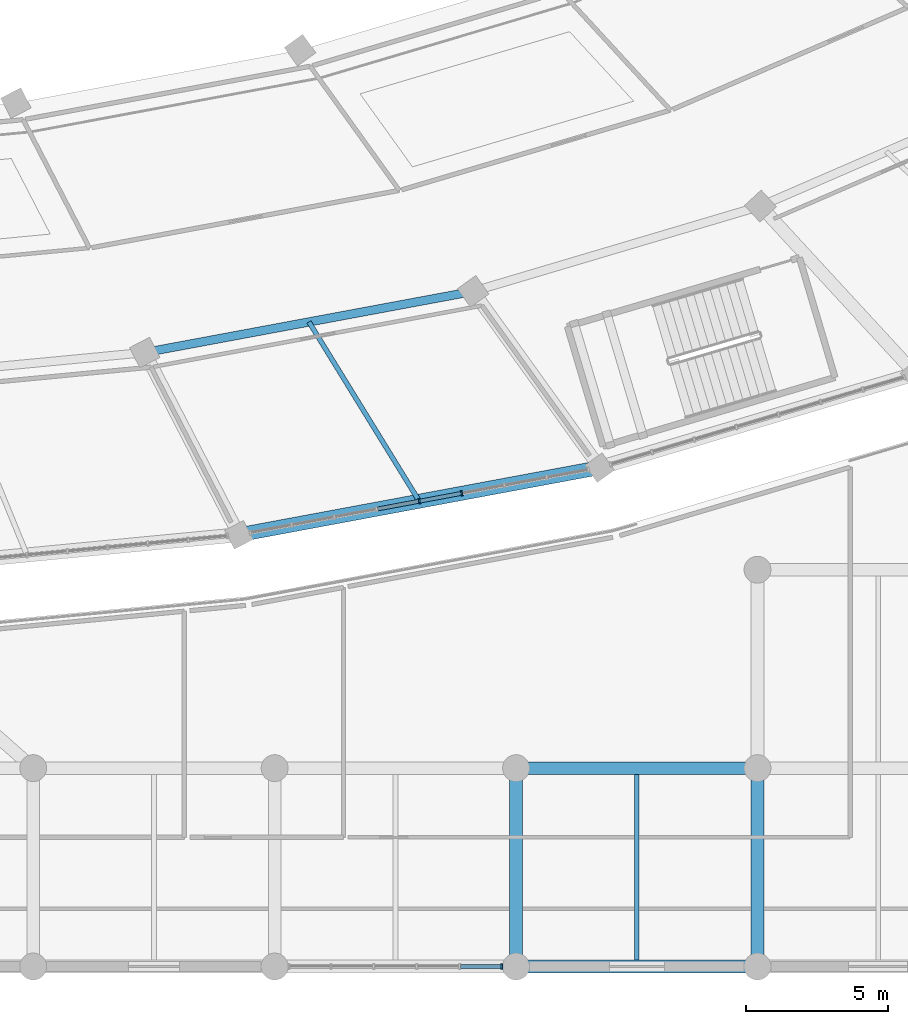
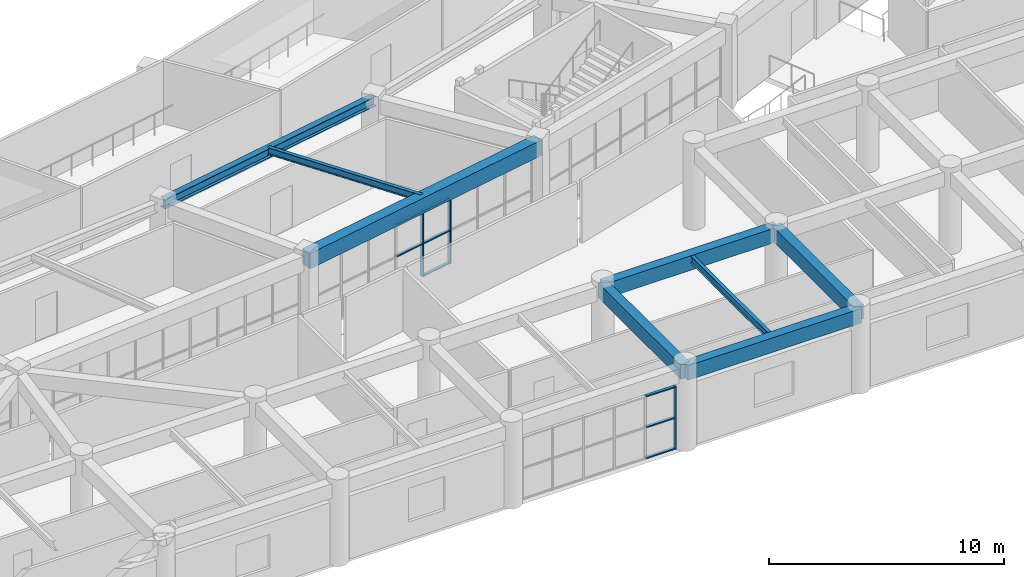
# One storey, part 33 of 141: 11 members, 8 beams, 2 elements without a shape of their own.
"""IFC4 building model written with IfcOpenShell, lengths in metres."""

from ifc_helpers import new_model, si_unit, direction, frame, origin, origin_2d, place, context, subcontext, project, spatial, rectangle, i_section, extrude, material, layer, layer_set, material_profile, profile_set, type_object, element, aggregate, save


model = new_model("IFC4")

# Units and contexts
model_context = context("Model", 3, precision=1e-05, world=origin(), true_north=direction((0.0, 1.0)))
body_context = subcontext(model_context, "Body", "Model", "MODEL_VIEW")
ifc_project = project(units=[si_unit("LENGTHUNIT", "METRE"), si_unit("AREAUNIT", "SQUARE_METRE"), si_unit("VOLUMEUNIT", "CUBIC_METRE"), si_unit("PLANEANGLEUNIT", "RADIAN"), si_unit("MASSUNIT", "GRAM", prefix="KILO")], contexts=[model_context])

# Site, building, storey
site_placement = place(None, origin())
site = spatial("IfcSite", under=ifc_project, at=site_placement, CompositionType="ELEMENT")
building_placement = place(site_placement, origin())
building = spatial("IfcBuilding", under=site, at=building_placement, Name="Mphavela Belvedere Stadium", CompositionType="ELEMENT")
storey_placement = place(building_placement, frame((0.0, 0.0, 14.699951171875)))
storey = spatial("IfcBuildingStorey", under=building, at=storey_placement, Name="L03", CompositionType="ELEMENT", Elevation=14.699951171875)

# Beams
ifc_material_1 = material(Name="Steel S355", Category="steel")
ifc_material_profile_1 = material_profile(ifc_material_1, i_section(OverallWidth=0.169921875, OverallDepth=0.360107421875, WebThickness=0.008056640625, FlangeThickness=0.0126953125, at=origin_2d()), Name="IPE 360")
ifc_profile_set_1 = profile_set([ifc_material_profile_1], Name="Steel S355")
beam_type_1 = type_object("IfcBeamType", Name="BM-JOIST-IPE360", PredefinedType="JOIST", material=ifc_profile_set_1)
beam_1_placement = place(storey_placement, frame((154.544189453125, 22.743408203125, 4.070068359375), z_axis=(0.524121267204, -0.851643644528, 0.0), x_axis=(0.851643644528, 0.524121267204, 0.0)))
element("IfcBeam", 1, at=beam_1_placement, inside=storey, type_object=beam_type_1, Name="Concourse floor joist L03-39", PredefinedType="JOIST", context=body_context, shape_type="SweptSolid", body=[
    extrude(i_section(OverallWidth=0.169921875, OverallDepth=0.360107421875, WebThickness=0.008056640625, FlangeThickness=0.0126953125, at=origin_2d()), origin(), (0.0, 0.0, 1.0), 7.42724609375),
])
beam_2_placement = place(storey_placement, frame((166.111083984375, 0.22509765625, 4.06005859375), z_axis=(0.0, 1.0, 0.0), x_axis=(-1.0, 0.0, 0.0)))
element("IfcBeam", 2, at=beam_2_placement, inside=storey, type_object=beam_type_1, Name="South Axial Triumphal Peristyle Portico secondary joist L03 20-1", PredefinedType="JOIST", context=body_context, shape_type="SweptSolid", body=[
    extrude(i_section(OverallWidth=0.169921875, OverallDepth=0.360107421875, WebThickness=0.008056640625, FlangeThickness=0.0126953125, at=origin_2d()), origin(), (0.0, 0.0, 1.0), 6.5498046875),
])
ifc_material_2 = material(Name="Concrete C40/50", Category="concrete")
ifc_material_profile_2 = material_profile(ifc_material_2, rectangle(XDim=0.449951171875, YDim=0.75, at=origin_2d()), Name="RC 450x750")
ifc_profile_set_2 = profile_set([ifc_material_profile_2], Name="Concrete C40/50")
beam_type_2 = type_object("IfcBeamType", Name="BM-RC450x750", PredefinedType="BEAM", material=ifc_profile_set_2)
beam_3_placement = place(storey_placement, frame((161.85205078125, 0.0, 3.864990234375), z_axis=(1.0, 0.0, 0.0), x_axis=(0.0, 1.0, 0.0)))
element("IfcBeam", 3, at=beam_3_placement, inside=storey, type_object=beam_type_2, Name="South Axial Triumphal Peristyle Portico entablature beam X L03 20-1", PredefinedType="BEAM", context=body_context, shape_type="SweptSolid", body=[
    extrude(rectangle(XDim=0.449951171875, YDim=0.75, at=origin_2d()), origin(), (0.0, 0.0, 1.0), 8.51806640625),
])
beam_4_placement = place(storey_placement, frame((161.85205078125, 0.0, 3.864990234375), z_axis=(0.0, 1.0, 0.0), x_axis=(-1.0, 0.0, 0.0)))
element("IfcBeam", 4, at=beam_4_placement, inside=storey, type_object=beam_type_2, Name="South Axial Triumphal Peristyle Portico entablature beam Y L03 20-1", PredefinedType="BEAM", context=body_context, shape_type="SweptSolid", body=[
    extrude(rectangle(XDim=0.449951171875, YDim=0.75, at=origin_2d()), origin(), (0.0, 0.0, 1.0), 7.0),
])
beam_5_placement = place(storey_placement, frame((161.85205078125, 7.0, 3.864990234375), z_axis=(1.0, 0.0, 0.0), x_axis=(0.0, 1.0, 0.0)))
element("IfcBeam", 5, at=beam_5_placement, inside=storey, type_object=beam_type_2, Name="South Axial Triumphal Peristyle Portico entablature beam X L03 20-2", PredefinedType="BEAM", context=body_context, shape_type="SweptSolid", body=[
    extrude(rectangle(XDim=0.449951171875, YDim=0.75, at=origin_2d()), origin(), (0.0, 0.0, 1.0), 8.51806640625),
])
beam_6_placement = place(storey_placement, frame((170.3701171875, 0.0, 3.864990234375), z_axis=(0.0, 1.0, 0.0), x_axis=(-1.0, 0.0, 0.0)))
element("IfcBeam", 6, at=beam_6_placement, inside=storey, type_object=beam_type_2, Name="South Axial Triumphal Peristyle Portico entablature beam Y L03 21-1", PredefinedType="BEAM", context=body_context, shape_type="SweptSolid", body=[
    extrude(rectangle(XDim=0.449951171875, YDim=0.75, at=origin_2d()), origin(), (0.0, 0.0, 1.0), 7.0),
])
ifc_material_3 = material(Name="Concrete C40/50", Category="concrete")
ifc_material_profile_3 = material_profile(ifc_material_3, rectangle(XDim=0.5, YDim=0.800048828125, at=origin_2d()), Name="RC 500x800")
ifc_profile_set_3 = profile_set([ifc_material_profile_3], Name="Concrete C40/50")
beam_type_3 = type_object("IfcBeamType", Name="BM-SPANDREL-800", PredefinedType="SPANDREL", material=ifc_profile_set_3)
beam_7_placement = place(storey_placement, frame((152.07275390625, 15.232666015625, 3.85009765625), z_axis=(0.983098571421, 0.183077029882, 0.0), x_axis=(-0.183077029882, 0.983098571421, 0.0)))
element("IfcBeam", 7, at=beam_7_placement, inside=storey, type_object=beam_type_3, Name="Circumferential girder L03 R4-39", PredefinedType="SPANDREL", context=body_context, shape_type="SweptSolid", body=[
    extrude(rectangle(XDim=0.5, YDim=0.800048828125, at=origin_2d()), origin(), (0.0, 0.0, 1.0), 12.947265625),
])
ifc_material_4 = material(Name="Steel S355", Category="steel")
ifc_material_profile_4 = material_profile(ifc_material_4, i_section(OverallWidth=0.300048828125, OverallDepth=0.489990234375, WebThickness=0.011962890625, FlangeThickness=0.02294921875, at=origin_2d()), Name="HEA 500")
ifc_profile_set_4 = profile_set([ifc_material_profile_4], Name="Steel S355")
beam_type_4 = type_object("IfcBeamType", Name="BM-STEEL-HEA500", PredefinedType="BEAM", material=ifc_profile_set_4)
beam_8_placement = place(storey_placement, frame((148.750244140625, 21.66455078125, 4.005126953125), z_axis=(0.983097725009, 0.18308157494, 0.0), x_axis=(-0.18308157494, 0.983097725009, 0.0)))
element("IfcBeam", 8, at=beam_8_placement, inside=storey, type_object=beam_type_4, Name="Circumferential girder L03 R3-39", PredefinedType="BEAM", context=body_context, shape_type="SweptSolid", body=[
    extrude(i_section(OverallWidth=0.300048828125, OverallDepth=0.489990234375, WebThickness=0.011962890625, FlangeThickness=0.02294921875, at=origin_2d()), origin(), (0.0, 0.0, 1.0), 11.786865234375),
])

# Curtain wall, members
ifc_material_5 = material(Name="Anodised bronze unitised curtain wall framing")
ifc_layer_1 = layer(ifc_material_5, 0.18994140625)
ifc_layer_set_1 = layer_set([ifc_layer_1], Name="Anodised bronze unitised curtain wall framing")
curtain_wall_type_1 = type_object("IfcCurtainWallType", Name="CW-UNIT-03", PredefinedType="USERDEFINED", material=ifc_layer_set_1)
curtain_wall_1_placement = place(storey_placement, origin())
curtain_wall_1 = element("IfcCurtainWall", 9, at=curtain_wall_1_placement, inside=storey, type_object=curtain_wall_type_1, Name="Belvedere colonnade curtain wall L03-39", ObjectType="UNITISED CURTAIN WALL", PredefinedType="USERDEFINED")
ifc_material_6 = material(Name="Anodised bronze extruded aluminium", Category="aluminium")
ifc_material_profile_5 = material_profile(ifc_material_6, rectangle(XDim=0.179931640625, YDim=0.06494140625, at=origin_2d()), Name="CW-MUL 180x65")
ifc_profile_set_5 = profile_set([ifc_material_profile_5], Name="Anodised bronze extruded aluminium")
member_type_1 = type_object("IfcMemberType", Name="CWM-180x65", PredefinedType="MULLION", material=ifc_profile_set_5)
member_1_placement = place(storey_placement, frame((158.43701171875, 16.41796875, 0.0), z_axis=(0.0, 0.0, 1.0), x_axis=(-0.18308790129, 0.983096546836, 0.0)))
member_1 = element("IfcMember", 10, at=member_1_placement, type_object=member_type_1, Name="CW-03 mullion 5", PredefinedType="MULLION", context=body_context, shape_type="SweptSolid", body=[
    extrude(rectangle(XDim=0.179931640625, YDim=0.06494140625, at=origin_2d()), origin(), (0.0, 0.0, 1.0), 3.420166015625),
])
member_2_placement = place(storey_placement, frame((159.936279296875, 16.697021484375, 0.0), z_axis=(0.0, 0.0, 1.0), x_axis=(-0.18308790129, 0.983096546836, 0.0)))
member_2 = element("IfcMember", 11, at=member_2_placement, type_object=member_type_1, Name="CW-03 mullion 6", PredefinedType="MULLION", context=body_context, shape_type="SweptSolid", body=[
    extrude(rectangle(XDim=0.179931640625, YDim=0.06494140625, at=origin_2d()), origin(), (0.0, 0.0, 1.0), 3.420166015625),
])

# Curtain wall, member
ifc_material_7 = material(Name="Anodised bronze unitised curtain wall framing")
ifc_layer_2 = layer(ifc_material_7, 0.179931640625)
ifc_layer_set_2 = layer_set([ifc_layer_2], Name="Anodised bronze unitised curtain wall framing")
curtain_wall_type_2 = type_object("IfcCurtainWallType", Name="CW-UNIT-01", PredefinedType="USERDEFINED", material=ifc_layer_set_2)
curtain_wall_2_placement = place(storey_placement, origin())
curtain_wall_2 = element("IfcCurtainWall", 12, at=curtain_wall_2_placement, inside=storey, type_object=curtain_wall_type_2, Name="South Axial Triumphal Peristyle Portico gallery curtain wall L03-19", ObjectType="UNITISED CURTAIN WALL", PredefinedType="USERDEFINED")
member_3_placement = place(storey_placement, frame((161.346435546875, 0.0, 0.0), z_axis=(0.0, 0.0, 1.0), x_axis=(0.0, -1.0, 0.0)))
member_3 = element("IfcMember", 13, at=member_3_placement, type_object=member_type_1, Name="CW-01 mullion 1", PredefinedType="MULLION", context=body_context, shape_type="SweptSolid", body=[
    extrude(rectangle(XDim=0.179931640625, YDim=0.06494140625, at=origin_2d()), origin(), (0.0, 0.0, 1.0), 3.260009765625),
])

# Member
ifc_material_8 = material(Name="Anodised bronze extruded aluminium", Category="aluminium")
ifc_material_profile_6 = material_profile(ifc_material_8, rectangle(XDim=0.139892578125, YDim=0.06005859375, at=origin_2d()), Name="CW-TRN 140x60")
ifc_profile_set_6 = profile_set([ifc_material_profile_6], Name="Anodised bronze extruded aluminium")
member_type_2 = type_object("IfcMemberType", Name="CWT-140x60", PredefinedType="USERDEFINED", material=ifc_profile_set_6)
member_4_placement = place(storey_placement, frame((156.969482421875, 16.14453125, 1.7099609375), z_axis=(0.983098571421, 0.183077029882, 0.0), x_axis=(-0.183077029882, 0.983098571421, 0.0)))
member_4 = element("IfcMember", 14, at=member_4_placement, type_object=member_type_2, Name="CW-03 transom 4.2", ObjectType="TRANSOM", PredefinedType="USERDEFINED", context=body_context, shape_type="SweptSolid", body=[
    extrude(rectangle(XDim=0.139892578125, YDim=0.06005859375, at=origin_2d()), origin(), (0.0, 0.0, 1.0), 1.460205078125),
])

member_5_placement = place(storey_placement, frame((156.969482421875, 16.14453125, 3.39013671875), z_axis=(0.983098571421, 0.183077029882, 0.0), x_axis=(-0.183077029882, 0.983098571421, 0.0)))
member_5 = element("IfcMember", 15, at=member_5_placement, type_object=member_type_2, Name="CW-03 transom 4.3", ObjectType="TRANSOM", PredefinedType="USERDEFINED", context=body_context, shape_type="SweptSolid", body=[
    extrude(rectangle(XDim=0.139892578125, YDim=0.06005859375, at=origin_2d()), origin(), (0.0, 0.0, 1.0), 1.460205078125),
])

member_6_placement = place(storey_placement, frame((158.468994140625, 16.423828125, 0.030029296875), z_axis=(0.983098571421, 0.183077029882, 0.0), x_axis=(-0.183077029882, 0.983098571421, 0.0)))
member_6 = element("IfcMember", 16, at=member_6_placement, type_object=member_type_2, Name="CW-03 transom 5.1", ObjectType="TRANSOM", PredefinedType="USERDEFINED", context=body_context, shape_type="SweptSolid", body=[
    extrude(rectangle(XDim=0.139892578125, YDim=0.06005859375, at=origin_2d()), origin(), (0.0, 0.0, 1.0), 1.460205078125),
])

member_7_placement = place(storey_placement, frame((158.468994140625, 16.423828125, 1.7099609375), z_axis=(0.983098571421, 0.183077029882, 0.0), x_axis=(-0.183077029882, 0.983098571421, 0.0)))
member_7 = element("IfcMember", 17, at=member_7_placement, type_object=member_type_2, Name="CW-03 transom 5.2", ObjectType="TRANSOM", PredefinedType="USERDEFINED", context=body_context, shape_type="SweptSolid", body=[
    extrude(rectangle(XDim=0.139892578125, YDim=0.06005859375, at=origin_2d()), origin(), (0.0, 0.0, 1.0), 1.460205078125),
])

member_8_placement = place(storey_placement, frame((158.468994140625, 16.423828125, 3.39013671875), z_axis=(0.983098571421, 0.183077029882, 0.0), x_axis=(-0.183077029882, 0.983098571421, 0.0)))
member_8 = element("IfcMember", 18, at=member_8_placement, type_object=member_type_2, Name="CW-03 transom 5.3", ObjectType="TRANSOM", PredefinedType="USERDEFINED", context=body_context, shape_type="SweptSolid", body=[
    extrude(rectangle(XDim=0.139892578125, YDim=0.06005859375, at=origin_2d()), origin(), (0.0, 0.0, 1.0), 1.460205078125),
])

aggregate(curtain_wall_1, [member_1, member_2, member_4, member_5, member_6, member_7, member_8])

member_9_placement = place(storey_placement, frame((161.31396484375, 0.0, 0.030029296875), z_axis=(-1.0, 0.0, 0.0), x_axis=(0.0, -1.0, 0.0)))
member_9 = element("IfcMember", 19, at=member_9_placement, type_object=member_type_2, Name="CW-01 transom 1.1", ObjectType="TRANSOM", PredefinedType="USERDEFINED", context=body_context, shape_type="SweptSolid", body=[
    extrude(rectangle(XDim=0.139892578125, YDim=0.06005859375, at=origin_2d()), origin(), (0.0, 0.0, 1.0), 1.4169921875),
])

member_10_placement = place(storey_placement, frame((161.31396484375, 0.0, 1.630126953125), z_axis=(-1.0, 0.0, 0.0), x_axis=(0.0, -1.0, 0.0)))
member_10 = element("IfcMember", 20, at=member_10_placement, type_object=member_type_2, Name="CW-01 transom 1.2", ObjectType="TRANSOM", PredefinedType="USERDEFINED", context=body_context, shape_type="SweptSolid", body=[
    extrude(rectangle(XDim=0.139892578125, YDim=0.06005859375, at=origin_2d()), origin(), (0.0, 0.0, 1.0), 1.4169921875),
])

member_11_placement = place(storey_placement, frame((161.31396484375, 0.0, 3.22998046875), z_axis=(-1.0, 0.0, 0.0), x_axis=(0.0, -1.0, 0.0)))
member_11 = element("IfcMember", 21, at=member_11_placement, type_object=member_type_2, Name="CW-01 transom 1.3", ObjectType="TRANSOM", PredefinedType="USERDEFINED", context=body_context, shape_type="SweptSolid", body=[
    extrude(rectangle(XDim=0.139892578125, YDim=0.06005859375, at=origin_2d()), origin(), (0.0, 0.0, 1.0), 1.4169921875),
])

aggregate(curtain_wall_2, [member_3, member_9, member_10, member_11])

save(model, "model.ifc")
